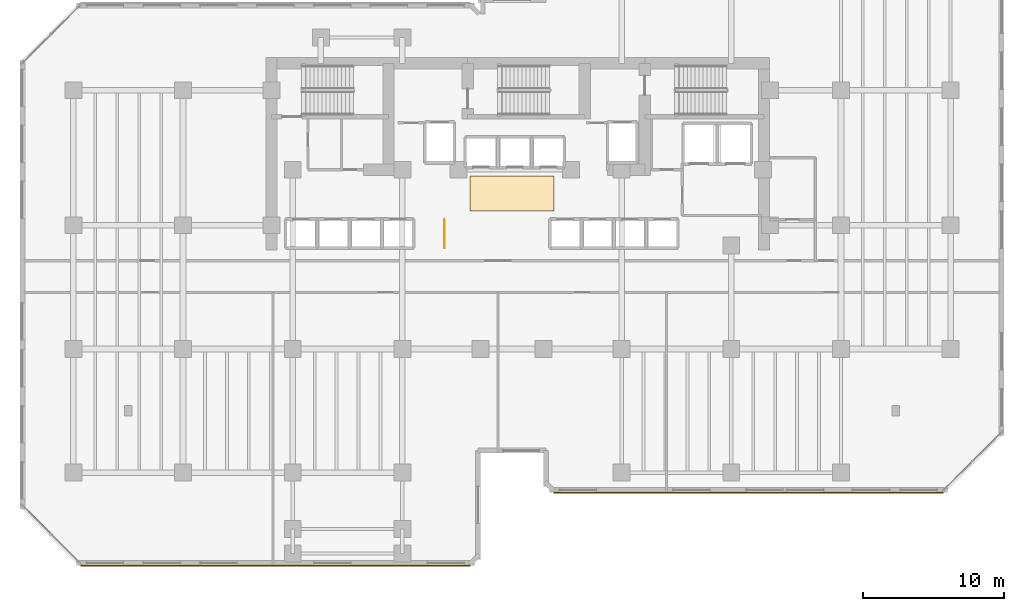
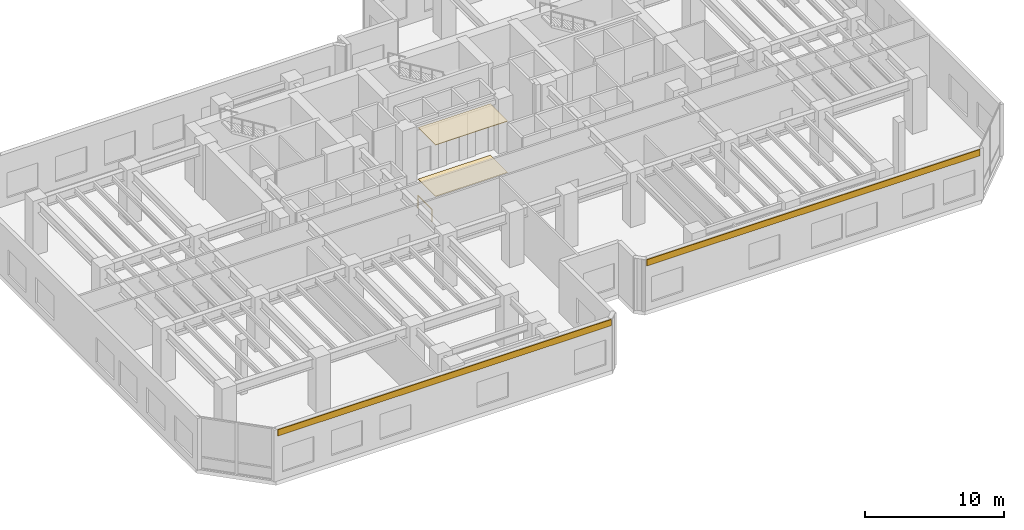
# One storey, part 15 of 17: 4 coverings, 1 railing.
"""IFC4 building model written with IfcOpenShell, lengths in metres."""

import ifcopenshell
import ifcopenshell.guid

model = None  # the IFC model being written
_history = None  # IfcOwnerHistory: only IFC2X3 demands one
_inside = {}  # id of a spatial element -> (the spatial element, [elements in it])
_under = {}  # id of a project, library or spatial element -> (it, [spatial elements below it])
_declared = {}  # id of a project -> (the project, [libraries it declares])
_typed = {}  # id of a type object -> (the type object, [elements of that type])
_made_of = {}  # id of a material, layer set ... -> (it, [elements and type objects made of it])


def new_model(schema):
    """Start an empty IFC model of exactly this schema.

    Asked for "IFC4X3", IfcOpenShell would pick the latest addendum, in which some entities
    have other attributes; the version numbers below select the first issue.
    IFC2X3 requires an IfcOwnerHistory on every rooted entity: one is made here for all.
    """
    global model, _history
    if schema == "IFC4X3":
        model = ifcopenshell.file(schema_version=(4, 3, 0, 0))
    else:
        model = ifcopenshell.file(schema=schema)
    _inside.clear()
    _under.clear()
    _declared.clear()
    _typed.clear()
    _made_of.clear()
    _history = None
    if model.schema == "IFC2X3":
        org = make("IfcOrganization", Name="unknown")
        user = make(
            "IfcPersonAndOrganization",
            ThePerson=make("IfcPerson", FamilyName="unknown"),
            TheOrganization=org,
        )
        app = make(
            "IfcApplication",
            ApplicationDeveloper=org,
            Version="unknown",
            ApplicationFullName="unknown",
            ApplicationIdentifier="unknown",
        )
        _history = make(
            "IfcOwnerHistory",
            OwningUser=user,
            OwningApplication=app,
            ChangeAction="ADDED",
            CreationDate=0,
        )
    return model


def make(cls, **values):
    """One entity of the class cls with the attributes given. An attribute that is None is left unset."""
    return model.create_entity(
        cls, **{name: value for name, value in values.items() if value is not None}
    )


def rooted(cls, **values):
    """An entity with a GlobalId (a new one), such as an element, a storey or a relation."""
    return make(cls, GlobalId=ifcopenshell.guid.new(), OwnerHistory=_history, **values)


def si_unit(unit_type, name, prefix=None):
    """IfcSIUnit, for example si_unit("LENGTHUNIT", "METRE", prefix="MILLI")."""
    return make("IfcSIUnit", UnitType=unit_type, Prefix=prefix, Name=name)


def assignment(units):
    """IfcUnitAssignment: the units of a project."""
    return None if units is None else make("IfcUnitAssignment", Units=units)


def point(xyz):
    """IfcCartesianPoint."""
    return None if xyz is None else make("IfcCartesianPoint", Coordinates=xyz)


def direction(xyz):
    """IfcDirection."""
    return None if xyz is None else make("IfcDirection", DirectionRatios=xyz)


def frame(location, z_axis=None, x_axis=None):
    """IfcAxis2Placement3D, a coordinate frame: its origin and axes. An axis left out is left unset."""
    return make(
        "IfcAxis2Placement3D",
        Location=point(location),
        Axis=direction(z_axis),
        RefDirection=direction(x_axis),
    )


def frame_2d(location, x_axis=None):
    """IfcAxis2Placement2D, a coordinate frame in the plane: its origin and x axis."""
    return make(
        "IfcAxis2Placement2D", Location=point(location), RefDirection=direction(x_axis)
    )


def origin():
    """The frame at (0, 0, 0) with its axes left unset."""
    return frame((0.0, 0.0, 0.0))


def origin_2d():
    """The frame at (0, 0) in the plane with its x axis left unset."""
    return frame_2d((0.0, 0.0))


def place(relative_to, where):
    """IfcLocalPlacement: puts the frame where relative to a parent placement (None: the world)."""
    return make(
        "IfcLocalPlacement", PlacementRelTo=relative_to, RelativePlacement=where
    )


def context(
    kind, dimensions, precision=None, world=None, true_north=None, identifier=None
):
    """IfcGeometricRepresentationContext, for example the 3D "Model" context."""
    return make(
        "IfcGeometricRepresentationContext",
        ContextIdentifier=identifier,
        ContextType=kind,
        CoordinateSpaceDimension=dimensions,
        Precision=precision,
        WorldCoordinateSystem=world,
        TrueNorth=true_north,
    )


def subcontext(parent, identifier, kind, view, scale=None):
    """IfcGeometricRepresentationSubContext, for example "Body" below "Model"."""
    return make(
        "IfcGeometricRepresentationSubContext",
        ContextIdentifier=identifier,
        ContextType=kind,
        ParentContext=parent,
        TargetScale=scale,
        TargetView=view,
    )


def project(units=None, contexts=None):
    """IfcProject with its units and contexts."""
    return rooted(
        "IfcProject",
        Name="project",
        RepresentationContexts=contexts,
        UnitsInContext=assignment(units),
    )


def spatial(cls, under=None, at=None, **own):
    """A site, building, storey or space (cls), placed at a placement, below another one or the project."""
    s = rooted(cls, ObjectPlacement=at, **own)
    if under is not None:
        _under.setdefault(under.id(), (under, []))[1].append(s)
    return s


def polyline(points):
    """IfcPolyline through the points."""
    return make("IfcPolyline", Points=[point(p) for p in points])


def profile(cls, at=None, kind="AREA", **sizes):
    """A parametric profile (cls). Its sizes go by their IFC names, for example OverallWidth=200.0."""
    return make(cls, ProfileType=kind, Position=at, **sizes)


def rectangle(**sizes):
    """IfcRectangleProfileDef."""
    return profile("IfcRectangleProfileDef", **sizes)


def circle(**sizes):
    """IfcCircleProfileDef."""
    return profile("IfcCircleProfileDef", **sizes)


def outline(outer, holes=None, kind="AREA"):
    """IfcArbitraryClosedProfileDef: a profile drawn as a closed curve; with holes, ...WithVoids."""
    if holes is None:
        return make("IfcArbitraryClosedProfileDef", ProfileType=kind, OuterCurve=outer)
    return make(
        "IfcArbitraryProfileDefWithVoids",
        ProfileType=kind,
        OuterCurve=outer,
        InnerCurves=holes,
    )


def extrude(swept, where, along, depth):
    """IfcExtrudedAreaSolid: the profile swept, set in the frame where, extruded along a direction by depth."""
    return make(
        "IfcExtrudedAreaSolid",
        SweptArea=swept,
        Position=where,
        ExtrudedDirection=direction(along),
        Depth=depth,
    )


def shape(context_of_items, identifier, shape_type, items):
    """IfcShapeRepresentation: the items that make up one representation, for example the "Body"."""
    return make(
        "IfcShapeRepresentation",
        ContextOfItems=context_of_items,
        RepresentationIdentifier=identifier,
        RepresentationType=shape_type,
        Items=items,
    )


def material(Name=None, Category=None):
    """IfcMaterial."""
    return make("IfcMaterial", Name=Name, Category=Category)


def layer(
    of_material, thickness, ventilated=None, Name=None, Category=None, Priority=None
):
    """IfcMaterialLayer: one layer of a wall or slab, of a material (None: an air gap)."""
    return make(
        "IfcMaterialLayer",
        Material=of_material,
        LayerThickness=thickness,
        IsVentilated=ventilated,
        Name=Name,
        Category=Category,
        Priority=Priority,
    )


def layer_set(layers, Name=None):
    """IfcMaterialLayerSet."""
    return make("IfcMaterialLayerSet", MaterialLayers=layers, LayerSetName=Name)


def made_of(thing, what):
    """Note that an element or type object is made of a material, layer set ...; save() writes the relation."""
    if what is not None:
        _made_of.setdefault(what.id(), (what, []))[1].append(thing)
    return thing


def type_object(cls, material=None, **own):
    """A type object (cls), such as IfcWallType, which elements share."""
    return made_of(rooted(cls, **own), material)


def element(
    cls,
    number,
    at=None,
    inside=None,
    cuts=None,
    type_object=None,
    material=None,
    context=None,
    identifier="Body",
    shape_type=None,
    held_by="IfcProductDefinitionShape",
    body=None,
    shapes=None,
    **own,
):
    """One element of the class cls, such as IfcWall. Its Tag is "e" and its number.

    at: its placement. inside: the storey or other place that contains it. cuts: it is an
    opening in that element (IfcRelVoidsElement). A single representation is given by context,
    identifier, shape_type and body (its items); several are given by shapes. held_by: the class
    of the entity that holds the representations. save() writes the other relations.
    """
    e = rooted(cls, Tag="e%d" % number, ObjectPlacement=at, **own)
    if body is not None:
        shapes = [shape(context, identifier, shape_type, body)]
    if shapes is not None:
        e.Representation = make(held_by, Representations=shapes)
    if inside is not None:
        _inside.setdefault(inside.id(), (inside, []))[1].append(e)
    if cuts is not None:
        rooted(
            "IfcRelVoidsElement", RelatingBuildingElement=cuts, RelatedOpeningElement=e
        )
    if type_object is not None:
        _typed.setdefault(type_object.id(), (type_object, []))[1].append(e)
    return made_of(e, material)


def aggregate(whole, parts):
    """IfcRelAggregates: a whole, such as a stair, and the parts it consists of."""
    return rooted("IfcRelAggregates", RelatingObject=whole, RelatedObjects=parts)


def save(model, path):
    """Write the relations noted so far, then the file.

    IfcRelAggregates (storeys below a building ...), IfcRelContainedInSpatialStructure (elements
    in a storey), IfcRelDefinesByType, IfcRelAssociatesMaterial and IfcRelDeclares: one each for
    every whole, place, type object, material and project.
    """
    for whole, parts in _under.values():
        aggregate(whole, parts)
    for where, things in _inside.values():
        rooted(
            "IfcRelContainedInSpatialStructure",
            RelatedElements=things,
            RelatingStructure=where,
        )
    for kind, things in _typed.values():
        rooted("IfcRelDefinesByType", RelatedObjects=things, RelatingType=kind)
    for what, things in _made_of.values():
        rooted("IfcRelAssociatesMaterial", RelatedObjects=things, RelatingMaterial=what)
    for by, libraries in _declared.values():
        rooted("IfcRelDeclares", RelatingContext=by, RelatedDefinitions=libraries)
    model.write(path)


model = new_model("IFC4")

# Units and contexts
model_context = context("Model", 3, precision=1e-05, world=origin(), true_north=direction((0.0, 1.0)))
body_context = subcontext(model_context, "Body", "Model", "MODEL_VIEW")
ifc_project = project(units=[si_unit("LENGTHUNIT", "METRE"), si_unit("AREAUNIT", "SQUARE_METRE"), si_unit("VOLUMEUNIT", "CUBIC_METRE"), si_unit("PLANEANGLEUNIT", "RADIAN"), si_unit("MASSUNIT", "GRAM", prefix="KILO")], contexts=[model_context])

# Site, building, storey
site_placement = place(None, origin())
site = spatial("IfcSite", under=ifc_project, at=site_placement, CompositionType="ELEMENT")
building_placement = place(site_placement, origin())
building = spatial("IfcBuilding", under=site, at=building_placement, Name="Kestravale Grand Hotel", CompositionType="ELEMENT")
storey_placement = place(building_placement, frame((0.0, 0.0, 129.800048828125)))
storey = spatial("IfcBuildingStorey", under=building, at=storey_placement, Name="L32", CompositionType="ELEMENT", Elevation=129.800048828125)

# Coverings
ifc_material_1 = material(Name="Warm limestone-toned fluted architectural precast cladding", Category="masonry")
ifc_layer_1 = layer(ifc_material_1, 0.074951171875)
ifc_layer_set_1 = layer_set([ifc_layer_1], Name="COV-CLAD-LIM")
covering_type_1 = type_object("IfcCoveringType", Name="COV-CLAD-LIM", PredefinedType="CLADDING", material=ifc_layer_set_1)
for number, where, z_axis, x_axis, name in (
    (1, (22.175048828125, 4.5849609375, 3.97509765625), (0.0, 0.0, 1.0), (1.0, 0.0, 0.0), "L32 fluted limestone spandrel cladding 1"),
    (2, (55.824951171875, 9.784912109375, 3.97509765625), (0.0, 0.0, 1.0), (1.0, 0.0, 0.0), "L32 fluted limestone spandrel cladding 7"),
):
    element("IfcCovering", number, at=place(storey_placement, frame(where, z_axis=z_axis, x_axis=x_axis)), inside=storey, type_object=covering_type_1, Name=name, PredefinedType="CLADDING", context=body_context, shape_type="SweptSolid", body=[
        extrude(rectangle(XDim=27.68994140625, YDim=0.074951171875, at=origin_2d()), origin(), (0.0, 0.0, 1.0), 0.550048828125),
    ])
ifc_material_2 = material(Name="Perforated gypsum and mineral-fibre acoustic ceiling", Category="other")
ifc_layer_2 = layer(ifc_material_2, 0.044921875)
ifc_layer_set_2 = layer_set([ifc_layer_2], Name="COV-INT-CEIL")
covering_type_2 = type_object("IfcCoveringType", Name="COV-INT-CEIL", PredefinedType="CEILING", material=ifc_layer_set_2)
covering_1_placement = place(storey_placement, frame((0.0, 0.0, 4.5048828125)))
element("IfcCovering", 3, at=covering_1_placement, inside=storey, type_object=covering_type_2, Name="L32 elevator lobby acoustic coffered ceiling", PredefinedType="CEILING", context=body_context, shape_type="SweptSolid", body=[
    extrude(outline(polyline([(36.0, 29.800048828125), (42.0, 29.800048828125), (42.0, 32.300048828125), (36.0, 32.300048828125), (36.0, 29.800048828125)])), origin(), (0.0, 0.0, 1.0), 0.045166015625),
])
ifc_material_3 = material(Name="Polished Art Deco brass-inlaid terrazzo flooring", Category="masonry")
ifc_layer_3 = layer(ifc_material_3, 0.034912109375)
ifc_layer_set_3 = layer_set([ifc_layer_3], Name="COV-INT-TERZ")
covering_type_3 = type_object("IfcCoveringType", Name="COV-INT-TERZ", PredefinedType="FLOORING", material=ifc_layer_set_3)
covering_2_placement = place(storey_placement, origin())
element("IfcCovering", 4, at=covering_2_placement, inside=storey, type_object=covering_type_3, Name="L32 elevator lobby brass-inlaid terrazzo floor", PredefinedType="FLOORING", context=body_context, shape_type="SweptSolid", body=[
    extrude(outline(polyline([(36.0, 29.800048828125), (42.0, 29.800048828125), (42.0, 32.300048828125), (36.0, 32.300048828125), (36.0, 29.800048828125)])), origin(), (0.0, 0.0, 1.0), 0.034912109375),
])

# Railing
ifc_material_4 = material(Name="Art Deco fluted bronze interior gallery balustrade", Category="steel")
railing_type = type_object("IfcRailingType", Name="RL-INT-BAL1100", PredefinedType="BALUSTRADE", material=ifc_material_4)
railing_placement = place(storey_placement, frame((34.199951171875, 27.199951171875, 0.0)))
element("IfcRailing", 5, at=railing_placement, inside=storey, type_object=railing_type, Name="L32 Art Deco bronze concourse balustrade", PredefinedType="BALUSTRADE", context=body_context, shape_type="SweptSolid", body=[
    extrude(circle(Radius=0.02392578125, at=origin_2d()), frame((0.0, 0.0, 1.076171875), z_axis=(0.0, 1.0, 0.0), x_axis=(-1.0, 0.0, 0.0)), (0.0, 0.0, 1.0), 2.0),
    extrude(circle(Radius=0.02099609375, at=origin_2d()), origin(), (0.0, 0.0, 1.0), 1.052001953125),
    extrude(circle(Radius=0.02099609375, at=origin_2d()), frame((0.0, 2.0, 0.0)), (0.0, 0.0, 1.0), 1.052001953125),
])

save(model, "model.ifc")
